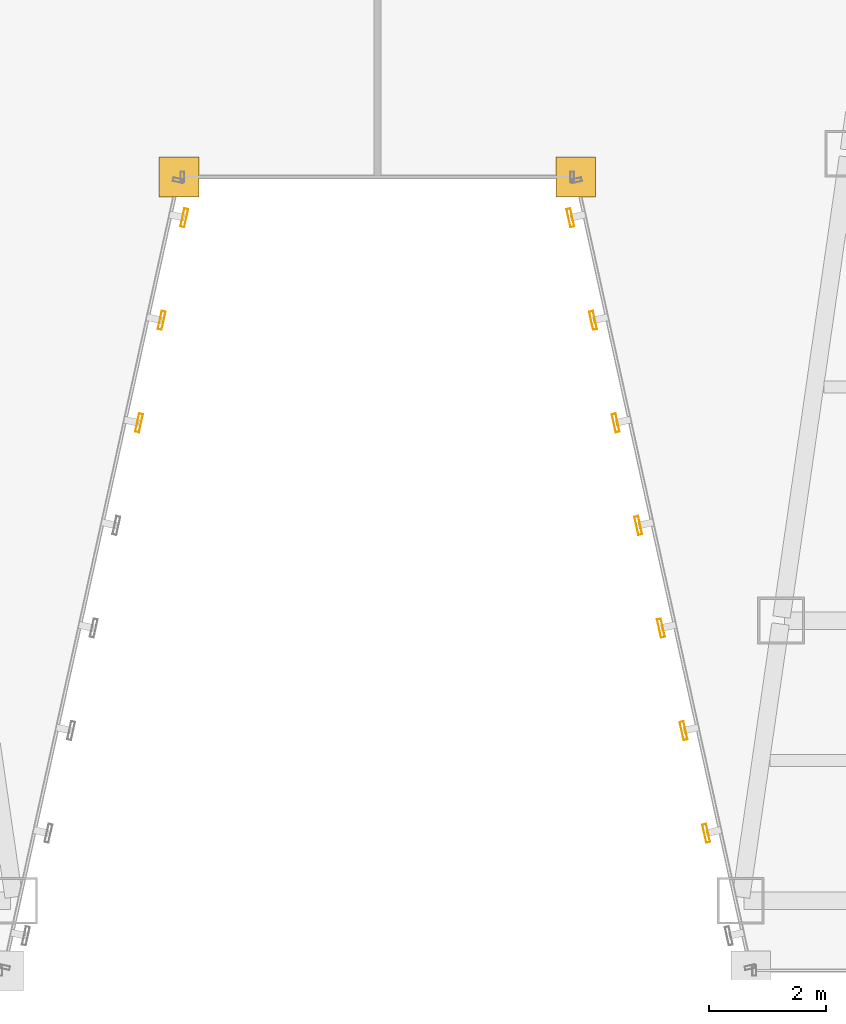
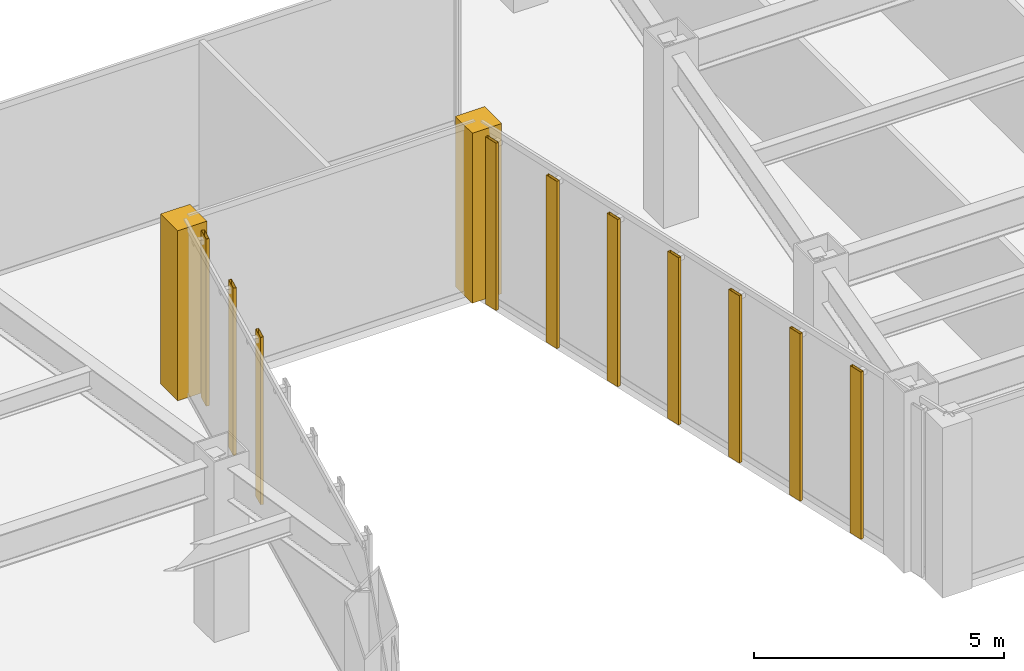
# One storey, part 42 of 47: 10 shading devices, 2 coverings.
"""IFC4 building model written with IfcOpenShell, lengths in metres."""

from ifc_helpers import new_model, si_unit, direction, frame, origin, origin_2d, place, context, subcontext, project, spatial, polyline, hollow_rectangle, outline, extrude, material, layer, layer_set, material_profile, profile_set, type_object, element, save


model = new_model("IFC4")

# Units and contexts
model_context = context("Model", 3, precision=1e-05, world=origin(), true_north=direction((0.0, 1.0)))
body_context = subcontext(model_context, "Body", "Model", "MODEL_VIEW")
ifc_project = project(units=[si_unit("LENGTHUNIT", "METRE"), si_unit("AREAUNIT", "SQUARE_METRE"), si_unit("VOLUMEUNIT", "CUBIC_METRE"), si_unit("PLANEANGLEUNIT", "RADIAN"), si_unit("MASSUNIT", "GRAM", prefix="KILO")], contexts=[model_context])

# Site, building, storey
site_placement = place(None, origin())
site = spatial("IfcSite", under=ifc_project, at=site_placement, CompositionType="ELEMENT")
building_placement = place(site_placement, origin())
building = spatial("IfcBuilding", under=site, at=building_placement, Name="Saevonmaru Cultural Tower", CompositionType="ELEMENT")
storey_placement = place(building_placement, frame((0.0, 0.0, 60.39990234375)))
storey = spatial("IfcBuildingStorey", under=building, at=storey_placement, Name="L12", CompositionType="ELEMENT", Elevation=60.39990234375)

# Coverings
ifc_material = material(Name="Satin Bronze Anodised Aluminium", Category="aluminium")
ifc_layer = layer(ifc_material, 0.679931640625, Name="Satin Bronze Anodised Aluminium")
ifc_layer_set = layer_set([ifc_layer], Name="Satin Bronze Anodised Aluminium")
covering_type = type_object("IfcCoveringType", Name="CV-CORNER-CLAD", PredefinedType="CLADDING", material=ifc_layer_set)
covering_1_placement = place(storey_placement, origin())
element("IfcCovering", 1, at=covering_1_placement, inside=storey, type_object=covering_type, Name="L12 Tower Bronze Corner Cladding Pier 4", PredefinedType="CLADDING", context=body_context, shape_type="SweptSolid", body=[
    extrude(outline(polyline([(26.260009765625, 15.260009765625), (26.93994140625, 15.260009765625), (26.93994140625, 15.93994140625), (26.260009765625, 15.93994140625), (26.260009765625, 15.260009765625)])), origin(), (0.0, 0.0, 1.0), 4.150146484375),
])
covering_2_placement = place(storey_placement, origin())
element("IfcCovering", 2, at=covering_2_placement, inside=storey, type_object=covering_type, Name="L12 Tower Bronze Corner Cladding Pier 5", PredefinedType="CLADDING", context=body_context, shape_type="SweptSolid", body=[
    extrude(outline(polyline([(33.06005859375, 15.260009765625), (33.739990234375, 15.260009765625), (33.739990234375, 15.93994140625), (33.06005859375, 15.93994140625), (33.06005859375, 15.260009765625)])), origin(), (0.0, 0.0, 1.0), 4.150146484375),
])

# Shading devices
ifc_material_profile = material_profile(ifc_material, hollow_rectangle(XDim=0.070068359375, YDim=0.320068359375, WallThickness=0.0048828125, at=origin_2d()), Name="FIN-320x70")
ifc_profile_set = profile_set([ifc_material_profile], Name="Satin Bronze Anodised Aluminium")
shading_device_type = type_object("IfcShadingDeviceType", Name="SHD-FIN-320", PredefinedType="JALOUSIE", material=ifc_profile_set)
for number, where, z_axis, x_axis, name in (
    (3, (25.916015625, 11.385009765625, 0.050048828125), (0.0, 0.0, 1.0), (0.976522126798, -0.215417120661, 0.0), "L12 Art Deco Sawtooth Bronze Fin E3-06"),
    (4, (26.3037109375, 13.142578125, 0.050048828125), (0.0, 0.0, 1.0), (0.976522126798, -0.215417120661, 0.0), "L12 Art Deco Sawtooth Bronze Fin E3-07"),
    (5, (26.69140625, 14.900390625, 0.050048828125), (0.0, 0.0, 1.0), (0.976522126798, -0.215417120661, 0.0), "L12 Art Deco Sawtooth Bronze Fin E3-08"),
    (6, (33.30859375, 14.900390625, 0.050048828125), (0.0, 0.0, 1.0), (-0.976522126798, -0.215417120661, 0.0), "L12 Art Deco Sawtooth Bronze Fin E5-01"),
    (7, (33.6962890625, 13.142578125, 0.050048828125), (0.0, 0.0, 1.0), (-0.976522126798, -0.215417120661, 0.0), "L12 Art Deco Sawtooth Bronze Fin E5-02"),
    (8, (34.083984375, 11.385009765625, 0.050048828125), (0.0, 0.0, 1.0), (-0.976522126798, -0.215417120661, 0.0), "L12 Art Deco Sawtooth Bronze Fin E5-03"),
    (9, (34.4716796875, 9.627197265625, 0.050048828125), (0.0, 0.0, 1.0), (-0.976522126798, -0.215417120661, 0.0), "L12 Art Deco Sawtooth Bronze Fin E5-04"),
    (10, (34.859619140625, 7.869384765625, 0.050048828125), (0.0, 0.0, 1.0), (-0.976522126798, -0.215417120661, 0.0), "L12 Art Deco Sawtooth Bronze Fin E5-05"),
    (11, (35.247314453125, 6.11181640625, 0.050048828125), (0.0, 0.0, 1.0), (-0.976522126798, -0.215417120661, 0.0), "L12 Art Deco Sawtooth Bronze Fin E5-06"),
    (12, (35.635009765625, 4.35400390625, 0.050048828125), (0.0, 0.0, 1.0), (-0.976522126798, -0.215417120661, 0.0), "L12 Art Deco Sawtooth Bronze Fin E5-07"),
):
    element("IfcShadingDevice", number, at=place(storey_placement, frame(where, z_axis=z_axis, x_axis=x_axis)), inside=storey, type_object=shading_device_type, Name=name, PredefinedType="JALOUSIE", context=body_context, shape_type="SweptSolid", body=[
        extrude(hollow_rectangle(XDim=0.070068359375, YDim=0.320068359375, WallThickness=0.0048828125, at=origin_2d()), origin(), (0.0, 0.0, 1.0), 4.080078125),
    ])

save(model, "model.ifc")
